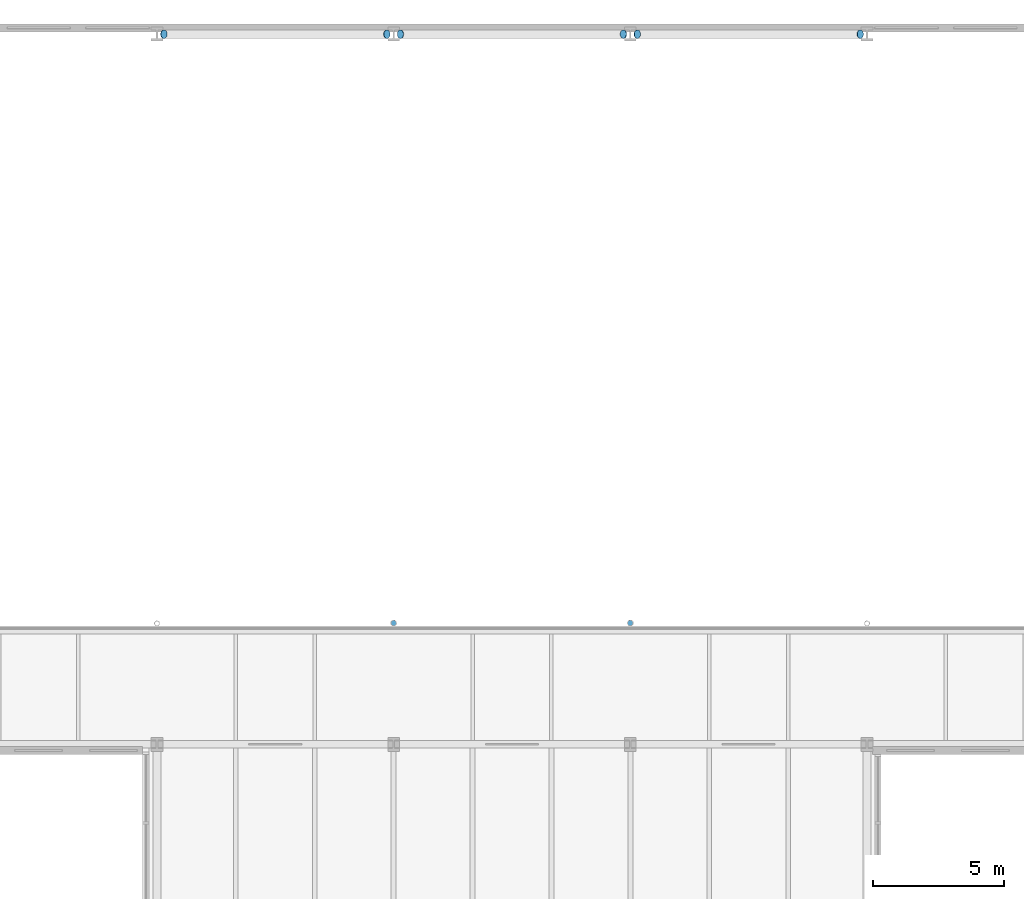
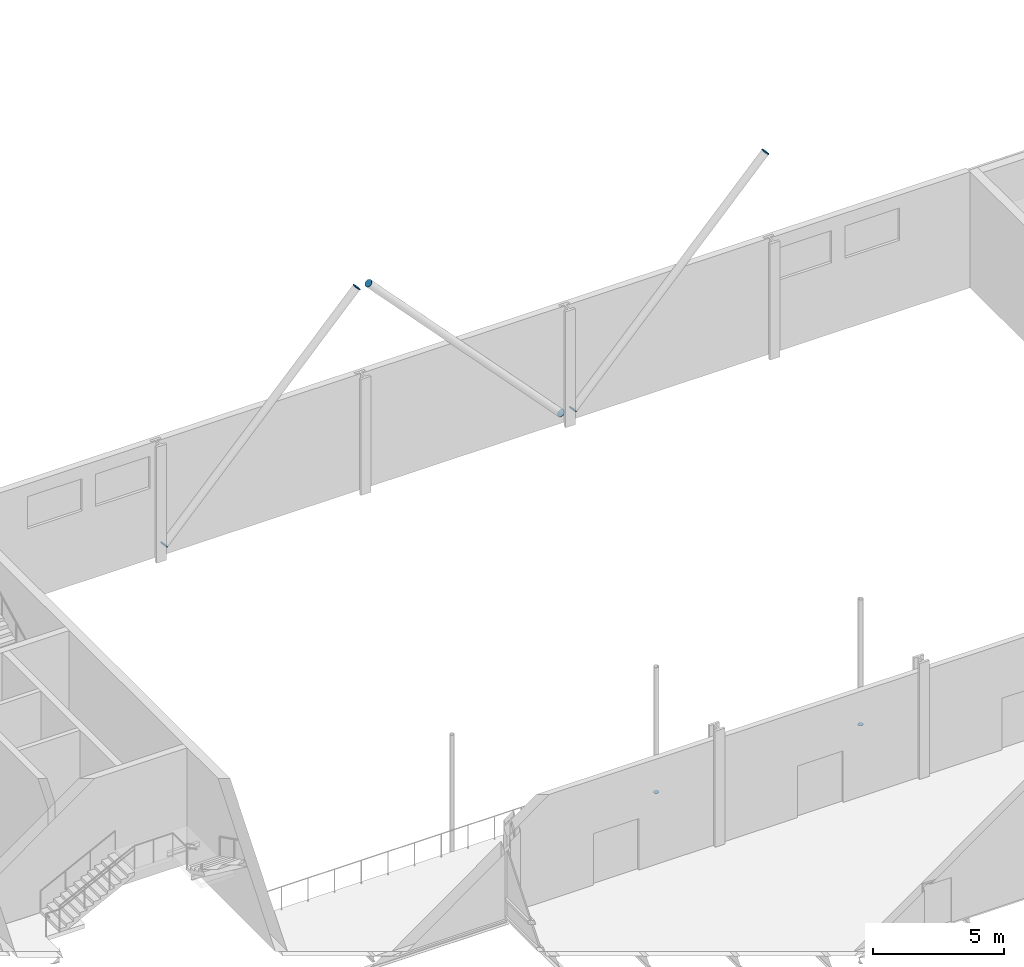
# One storey, part 47 of 56: 8 discrete accessories.
"""IFC4 building model written with IfcOpenShell, lengths in metres."""

from ifc_helpers import new_model, si_unit, direction, frame, origin, origin_2d, place, context, subcontext, project, spatial, circle, extrude, material, material_profile, profile_set, type_object, element, save


model = new_model("IFC4")

# Units and contexts
model_context = context("Model", 3, precision=1e-05, world=origin(), true_north=direction((0.0, 1.0)))
body_context = subcontext(model_context, "Body", "Model", "MODEL_VIEW")
ifc_project = project(units=[si_unit("LENGTHUNIT", "METRE"), si_unit("AREAUNIT", "SQUARE_METRE"), si_unit("VOLUMEUNIT", "CUBIC_METRE"), si_unit("PLANEANGLEUNIT", "RADIAN"), si_unit("MASSUNIT", "GRAM", prefix="KILO")], contexts=[model_context])

# Site, building, storey
site_placement = place(None, origin())
site = spatial("IfcSite", under=ifc_project, at=site_placement, CompositionType="ELEMENT")
building_placement = place(site_placement, origin())
building = spatial("IfcBuilding", under=site, at=building_placement, Name="Azimuth Sports and Learning Centre", CompositionType="ELEMENT")
storey_placement = place(building_placement, frame((0.0, 0.0, 5.39990234375)))
storey = spatial("IfcBuildingStorey", under=building, at=storey_placement, Name="L01", CompositionType="ELEMENT", Elevation=5.39990234375)

# Discrete accessories
ifc_material_1 = material(Name="Steel S355", Category="steel")
ifc_material_profile_1 = material_profile(ifc_material_1, circle(Radius=0.109619140625, at=origin_2d()), Name="PL 219 DISC")
ifc_profile_set_1 = profile_set([ifc_material_profile_1], Name="Steel S355")
discrete_accessory_type_1 = type_object("IfcDiscreteAccessoryType", Name="End plate CHS 219.1x10.0", PredefinedType="USERDEFINED", material=ifc_profile_set_1)
for number, where, z_axis, x_axis, name in (
    (1, (81.0, 94.609619140625, -0.449951171875), (0.0, 0.0, -1.0), (1.0, 0.0, 0.0), "End plate Gallery hanger FT-2"),
    (2, (90.0, 94.609619140625, -0.449951171875), (0.0, 0.0, -1.0), (1.0, 0.0, 0.0), "End plate Gallery hanger FT-3"),
):
    element("IfcDiscreteAccessory", number, at=place(storey_placement, frame(where, z_axis=z_axis, x_axis=x_axis)), inside=storey, type_object=discrete_accessory_type_1, Name=name, ObjectType="END PLATE", PredefinedType="USERDEFINED", context=body_context, shape_type="SweptSolid", body=[
        extrude(circle(Radius=0.109619140625, at=origin_2d()), origin(), (0.0, 0.0, 1.0), 0.02001953125),
    ])
ifc_material_2 = material(Name="Steel S355", Category="steel")
ifc_material_profile_2 = material_profile(ifc_material_2, circle(Radius=0.161865234375, at=origin_2d()), Name="PL 324 DISC")
ifc_profile_set_2 = profile_set([ifc_material_profile_2], Name="Steel S355")
discrete_accessory_type_2 = type_object("IfcDiscreteAccessoryType", Name="End plate CHS 323.9x12.5", PredefinedType="USERDEFINED", material=ifc_profile_set_2)
for number, where, z_axis, x_axis, name in (
    (3, (72.27001953125, 117.0, 0.55224609375), (-0.68231825036, 0.0, -0.731055268243), (0.0, -1.0, 0.0), "End plate Hall brace 9-10 L01 lower end"),
    (4, (80.732421875, 117.0, 9.548095703125), (0.694812020929, 0.0, 0.719191390085), (0.0, 1.0, 0.0), "End plate Hall brace 9-10 L01 upper end"),
    (5, (89.72998046875, 117.0, 0.55224609375), (0.68231825036, 0.0, -0.731055268243), (0.0, 1.0, 0.0), "End plate Hall brace 10-11 L01 lower end"),
    (6, (81.267578125, 117.0, 9.548095703125), (-0.694812020929, 0.0, 0.719191390085), (0.0, -1.0, 0.0), "End plate Hall brace 10-11 L01 upper end"),
    (7, (90.27001953125, 117.0, 0.55224609375), (-0.68231825036, 0.0, -0.731055268243), (0.0, -1.0, 0.0), "End plate Hall brace 11-12 L01 lower end"),
    (8, (98.732421875, 117.0, 9.548095703125), (0.694812020929, 0.0, 0.719191390085), (0.0, 1.0, 0.0), "End plate Hall brace 11-12 L01 upper end"),
):
    element("IfcDiscreteAccessory", number, at=place(storey_placement, frame(where, z_axis=z_axis, x_axis=x_axis)), inside=storey, type_object=discrete_accessory_type_2, Name=name, ObjectType="END PLATE", PredefinedType="USERDEFINED", context=body_context, shape_type="SweptSolid", body=[
        extrude(circle(Radius=0.161865234375, at=origin_2d()), origin(), (0.0, 0.0, 1.0), 0.02001953125),
    ])

save(model, "model.ifc")
